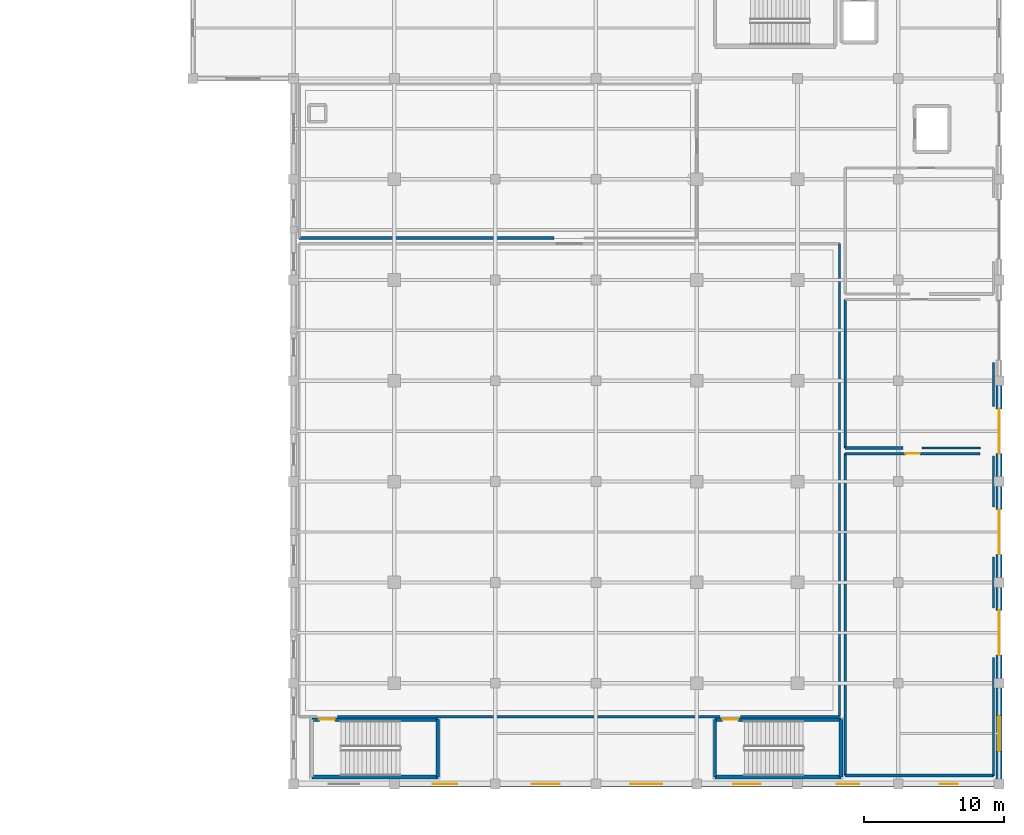
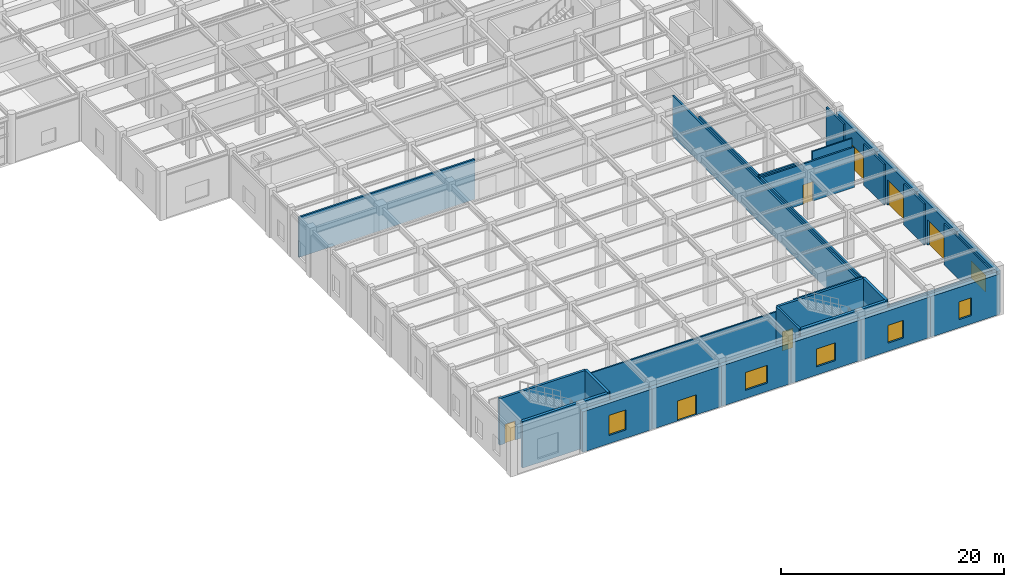
# One storey, part 80 of 102: 31 walls, 7 doors, 6 windows, 13 openings.
"""IFC4 building model written with IfcOpenShell, lengths in metres."""

from ifc_helpers import new_model, si_unit, direction, frame, frame_2d, origin, place, context, subcontext, project, spatial, rectangle, extrude, material, layer, layer_set, type_object, element, fill, save


model = new_model("IFC4")

# Units and contexts
model_context = context("Model", 3, precision=1e-05, world=origin(), true_north=direction((0.0, 1.0)))
body_context = subcontext(model_context, "Body", "Model", "MODEL_VIEW")
ifc_project = project(units=[si_unit("LENGTHUNIT", "METRE"), si_unit("AREAUNIT", "SQUARE_METRE"), si_unit("VOLUMEUNIT", "CUBIC_METRE"), si_unit("PLANEANGLEUNIT", "RADIAN"), si_unit("MASSUNIT", "GRAM", prefix="KILO")], contexts=[model_context])

# Site, building, storey
site_placement = place(None, origin())
site = spatial("IfcSite", under=ifc_project, at=site_placement, CompositionType="ELEMENT")
building_placement = place(site_placement, origin())
building = spatial("IfcBuilding", under=site, at=building_placement, Name="Carrowvane Square Congress Hotel", CompositionType="ELEMENT")
storey_placement = place(building_placement, origin())
storey = spatial("IfcBuildingStorey", under=building, at=storey_placement, Name="L00", CompositionType="ELEMENT", Elevation=0.0)

# Wall, opening, door
ifc_material_1 = material(Name="Portland limestone cladding", Category="masonry")
ifc_layer_1 = layer(ifc_material_1, 0.419921875)
ifc_layer_set_1 = layer_set([ifc_layer_1], Name="Portland limestone cladding")
wall_type_1 = type_object("IfcWallType", Name="WL-EXT-LS420", PredefinedType="STANDARD", material=ifc_layer_set_1)
wall_1_placement = place(storey_placement, frame((184.39990234375, 34.199951171875, 0.0), z_axis=(0.0, 0.0, 1.0), x_axis=(0.0, -1.0, 0.0)))
wall_1 = element("IfcWall", 1, at=wall_1_placement, inside=storey, type_object=wall_type_1, Name="L00 exterior facade wall 168", PredefinedType="STANDARD", context=body_context, shape_type="SweptSolid", body=[
    extrude(rectangle(XDim=7.199951171875, YDim=0.419921875, at=frame_2d((3.60009765625, 0.0))), origin(), (0.0, 0.0, 1.0), 4.625),
])
opening_1_placement = place(wall_1_placement, frame((2.0, 0.0, 0.0)))
opening_1 = element("IfcOpeningElement", 2, at=opening_1_placement, cuts=wall_1, Name="Opening VG-3", PredefinedType="OPENING", context=body_context, shape_type="SweptSolid", body=[
    extrude(rectangle(XDim=3.199951171875, YDim=2.800048828125, at=frame_2d((1.60009765625, 1.39990234375))), frame((0.0, 0.219970703125, 0.0), z_axis=(0.0, -1.0, 0.0), x_axis=(1.0, 0.0, 0.0)), (0.0, 0.0, 1.0), 0.43994140625),
])
ifc_material_2 = material(Name="Galvanised steel", Category="steel")
door_type_1 = type_object("IfcDoorType", Name="DR-GATE-3200", OperationType="ROLLINGUP", PredefinedType="GATE", material=ifc_material_2)
door_1_placement = place(opening_1_placement, origin())
door_1 = element("IfcDoor", 3, at=door_1_placement, inside=storey, type_object=door_type_1, Name="L00 goods service shutter 4", OperationType="ROLLINGUP", OverallHeight=2.800048828125, OverallWidth=3.199951171875, PredefinedType="GATE", context=body_context, shape_type="SweptSolid", body=[
    extrude(rectangle(XDim=3.199951171875, YDim=2.800048828125, at=frame_2d((1.60009765625, 1.39990234375))), frame((0.0, 0.02490234375, 0.0), z_axis=(0.0, -1.0, 0.0), x_axis=(1.0, 0.0, 0.0)), (0.0, 0.0, 1.0), 0.050048828125),
])
fill(opening_1, door_1)

wall_2_placement = place(storey_placement, frame((184.39990234375, 27.0, 0.0), z_axis=(0.0, 0.0, 1.0), x_axis=(0.0, -1.0, 0.0)))
wall_2 = element("IfcWall", 4, at=wall_2_placement, inside=storey, type_object=wall_type_1, Name="L00 exterior facade wall 169", PredefinedType="STANDARD", context=body_context, shape_type="SweptSolid", body=[
    extrude(rectangle(XDim=7.199951171875, YDim=0.419921875, at=frame_2d((3.60009765625, 0.0))), origin(), (0.0, 0.0, 1.0), 4.625),
])
opening_2_placement = place(wall_2_placement, frame((2.0, 0.0, 0.0)))
opening_2 = element("IfcOpeningElement", 5, at=opening_2_placement, cuts=wall_2, Name="Opening VG-3", PredefinedType="OPENING", context=body_context, shape_type="SweptSolid", body=[
    extrude(rectangle(XDim=3.199951171875, YDim=2.800048828125, at=frame_2d((1.60009765625, 1.39990234375))), frame((0.0, 0.219970703125, 0.0), z_axis=(0.0, -1.0, 0.0), x_axis=(1.0, 0.0, 0.0)), (0.0, 0.0, 1.0), 0.43994140625),
])
door_2_placement = place(opening_2_placement, origin())
door_2 = element("IfcDoor", 6, at=door_2_placement, inside=storey, type_object=door_type_1, Name="L00 goods service shutter 5", OperationType="ROLLINGUP", OverallHeight=2.800048828125, OverallWidth=3.199951171875, PredefinedType="GATE", context=body_context, shape_type="SweptSolid", body=[
    extrude(rectangle(XDim=3.199951171875, YDim=2.800048828125, at=frame_2d((1.60009765625, 1.39990234375))), frame((0.0, 0.02490234375, 0.0), z_axis=(0.0, -1.0, 0.0), x_axis=(1.0, 0.0, 0.0)), (0.0, 0.0, 1.0), 0.050048828125),
])
fill(opening_2, door_2)

wall_3_placement = place(storey_placement, frame((184.39990234375, 19.800048828125, 0.0), z_axis=(0.0, 0.0, 1.0), x_axis=(0.0, -1.0, 0.0)))
wall_3 = element("IfcWall", 7, at=wall_3_placement, inside=storey, type_object=wall_type_1, Name="L00 exterior facade wall 170", PredefinedType="STANDARD", context=body_context, shape_type="SweptSolid", body=[
    extrude(rectangle(XDim=7.199951171875, YDim=0.419921875, at=frame_2d((3.60009765625, 0.0))), origin(), (0.0, 0.0, 1.0), 4.625),
])
opening_3_placement = place(wall_3_placement, frame((2.0, 0.0, 0.0)))
opening_3 = element("IfcOpeningElement", 8, at=opening_3_placement, cuts=wall_3, Name="Opening VG-3", PredefinedType="OPENING", context=body_context, shape_type="SweptSolid", body=[
    extrude(rectangle(XDim=3.199951171875, YDim=2.800048828125, at=frame_2d((1.60009765625, 1.39990234375))), frame((0.0, 0.219970703125, 0.0), z_axis=(0.0, -1.0, 0.0), x_axis=(1.0, 0.0, 0.0)), (0.0, 0.0, 1.0), 0.43994140625),
])
door_3_placement = place(opening_3_placement, origin())
door_3 = element("IfcDoor", 9, at=door_3_placement, inside=storey, type_object=door_type_1, Name="L00 goods service shutter 6", OperationType="ROLLINGUP", OverallHeight=2.800048828125, OverallWidth=3.199951171875, PredefinedType="GATE", context=body_context, shape_type="SweptSolid", body=[
    extrude(rectangle(XDim=3.199951171875, YDim=2.800048828125, at=frame_2d((1.60009765625, 1.39990234375))), frame((0.0, 0.02490234375, 0.0), z_axis=(0.0, -1.0, 0.0), x_axis=(1.0, 0.0, 0.0)), (0.0, 0.0, 1.0), 0.050048828125),
])
fill(opening_3, door_3)

# Wall, opening, window
wall_4_placement = place(storey_placement, frame((184.39990234375, 12.60009765625, 0.0), z_axis=(0.0, 0.0, 1.0), x_axis=(0.0, -1.0, 0.0)))
wall_4 = element("IfcWall", 10, at=wall_4_placement, inside=storey, type_object=wall_type_1, Name="L00 exterior facade wall 171", PredefinedType="STANDARD", context=body_context, shape_type="SweptSolid", body=[
    extrude(rectangle(XDim=7.2001953125, YDim=0.419921875, at=frame_2d((3.60009765625, 0.0))), origin(), (0.0, 0.0, 1.0), 4.625),
])
opening_4_placement = place(wall_4_placement, frame((2.324951171875, 0.0, 0.89990234375)))
opening_4 = element("IfcOpeningElement", 11, at=opening_4_placement, cuts=wall_4, Name="Opening W-28", PredefinedType="OPENING", context=body_context, shape_type="SweptSolid", body=[
    extrude(rectangle(XDim=2.550048828125, YDim=1.85009765625, at=frame_2d((1.27490234375, 0.925048828125))), frame((0.0, 0.219970703125, 0.0), z_axis=(0.0, -1.0, 0.0), x_axis=(1.0, 0.0, 0.0)), (0.0, 0.0, 1.0), 0.43994140625),
])
ifc_material_3 = material(Name="Double-glazed low-E glass", Category="glass")
window_type_1 = type_object("IfcWindowType", Name="WIN-28", PartitioningType="SINGLE_PANEL", PredefinedType="WINDOW", material=ifc_material_3)
window_1_placement = place(opening_4_placement, origin())
window_1 = element("IfcWindow", 12, at=window_1_placement, inside=storey, type_object=window_type_1, Name="L00 facade window 8", OverallHeight=1.85009765625, OverallWidth=2.550048828125, PartitioningType="SINGLE_PANEL", PredefinedType="WINDOW", context=body_context, shape_type="SweptSolid", body=[
    extrude(rectangle(XDim=2.550048828125, YDim=1.85009765625, at=frame_2d((1.27490234375, 0.925048828125))), frame((0.0, 0.030029296875, 0.0), z_axis=(0.0, -1.0, 0.0), x_axis=(1.0, 0.0, 0.0)), (0.0, 0.0, 1.0), 0.06005859375),
])
fill(opening_4, window_1)

wall_5_placement = place(storey_placement, frame((184.39990234375, 5.39990234375, 0.0), z_axis=(0.0, 0.0, 1.0), x_axis=(-1.0, 0.0, 0.0)))
wall_5 = element("IfcWall", 13, at=wall_5_placement, inside=storey, type_object=wall_type_1, Name="L00 exterior facade wall 172", PredefinedType="STANDARD", context=body_context, shape_type="SweptSolid", body=[
    extrude(rectangle(XDim=7.199951171875, YDim=0.419921875, at=frame_2d((3.60009765625, 0.0))), origin(), (0.0, 0.0, 1.0), 4.43505859375),
])
opening_5_placement = place(wall_5_placement, frame((2.949951171875, 0.0, 0.89990234375)))
opening_5 = element("IfcOpeningElement", 14, at=opening_5_placement, cuts=wall_5, Name="Opening W-29", PredefinedType="OPENING", context=body_context, shape_type="SweptSolid", body=[
    extrude(rectangle(XDim=1.300048828125, YDim=1.949951171875, at=frame_2d((0.64990234375, 0.97509765625))), frame((0.0, 0.219970703125, 0.0), z_axis=(0.0, -1.0, 0.0), x_axis=(1.0, 0.0, 0.0)), (0.0, 0.0, 1.0), 0.43994140625),
])
ifc_material_4 = material(Name="Double-glazed low-E glass", Category="glass")
window_type_2 = type_object("IfcWindowType", Name="WIN-29", PartitioningType="SINGLE_PANEL", PredefinedType="WINDOW", material=ifc_material_4)
window_2_placement = place(opening_5_placement, origin())
window_2 = element("IfcWindow", 15, at=window_2_placement, inside=storey, type_object=window_type_2, Name="L00 facade window 9", OverallHeight=1.949951171875, OverallWidth=1.300048828125, PartitioningType="SINGLE_PANEL", PredefinedType="WINDOW", context=body_context, shape_type="SweptSolid", body=[
    extrude(rectangle(XDim=1.300048828125, YDim=1.949951171875, at=frame_2d((0.64990234375, 0.97509765625))), frame((0.0, 0.030029296875, 0.0), z_axis=(0.0, -1.0, 0.0), x_axis=(1.0, 0.0, 0.0)), (0.0, 0.0, 1.0), 0.06005859375),
])
fill(opening_5, window_2)

wall_6_placement = place(storey_placement, frame((177.199951171875, 5.39990234375, 0.0), z_axis=(0.0, 0.0, 1.0), x_axis=(-1.0, 0.0, 0.0)))
wall_6 = element("IfcWall", 16, at=wall_6_placement, inside=storey, type_object=wall_type_1, Name="L00 exterior facade wall 173", PredefinedType="STANDARD", context=body_context, shape_type="SweptSolid", body=[
    extrude(rectangle(XDim=7.199951171875, YDim=0.419921875, at=frame_2d((3.60009765625, 0.0))), origin(), (0.0, 0.0, 1.0), 4.43505859375),
])
opening_6_placement = place(wall_6_placement, frame((2.800048828125, 0.0, 0.89990234375)))
opening_6 = element("IfcOpeningElement", 17, at=opening_6_placement, cuts=wall_6, Name="Opening W-30", PredefinedType="OPENING", context=body_context, shape_type="SweptSolid", body=[
    extrude(rectangle(XDim=1.60009765625, YDim=1.949951171875, at=frame_2d((0.800048828125, 0.97509765625))), frame((0.0, 0.219970703125, 0.0), z_axis=(0.0, -1.0, 0.0), x_axis=(1.0, 0.0, 0.0)), (0.0, 0.0, 1.0), 0.43994140625),
])
ifc_material_5 = material(Name="Double-glazed low-E glass", Category="glass")
window_type_3 = type_object("IfcWindowType", Name="WIN-30", PartitioningType="SINGLE_PANEL", PredefinedType="WINDOW", material=ifc_material_5)
window_3_placement = place(opening_6_placement, origin())
window_3 = element("IfcWindow", 18, at=window_3_placement, inside=storey, type_object=window_type_3, Name="L00 facade window 10", OverallHeight=1.949951171875, OverallWidth=1.60009765625, PartitioningType="SINGLE_PANEL", PredefinedType="WINDOW", context=body_context, shape_type="SweptSolid", body=[
    extrude(rectangle(XDim=1.60009765625, YDim=1.949951171875, at=frame_2d((0.800048828125, 0.97509765625))), frame((0.0, 0.030029296875, 0.0), z_axis=(0.0, -1.0, 0.0), x_axis=(1.0, 0.0, 0.0)), (0.0, 0.0, 1.0), 0.06005859375),
])
fill(opening_6, window_3)

wall_7_placement = place(storey_placement, frame((170.0, 5.39990234375, 0.0), z_axis=(0.0, 0.0, 1.0), x_axis=(-1.0, 0.0, 0.0)))
wall_7 = element("IfcWall", 19, at=wall_7_placement, inside=storey, type_object=wall_type_1, Name="L00 exterior facade wall 174", PredefinedType="STANDARD", context=body_context, shape_type="SweptSolid", body=[
    extrude(rectangle(XDim=7.199951171875, YDim=0.419921875, at=frame_2d((3.60009765625, 0.0))), origin(), (0.0, 0.0, 1.0), 4.43505859375),
])
opening_7_placement = place(wall_7_placement, frame((2.625, 0.0, 0.89990234375)))
opening_7 = element("IfcOpeningElement", 20, at=opening_7_placement, cuts=wall_7, Name="Opening W-31", PredefinedType="OPENING", context=body_context, shape_type="SweptSolid", body=[
    extrude(rectangle(XDim=1.949951171875, YDim=1.949951171875, at=frame_2d((0.97509765625, 0.97509765625))), frame((0.0, 0.219970703125, 0.0), z_axis=(0.0, -1.0, 0.0), x_axis=(1.0, 0.0, 0.0)), (0.0, 0.0, 1.0), 0.43994140625),
])
ifc_material_6 = material(Name="Double-glazed low-E glass", Category="glass")
window_type_4 = type_object("IfcWindowType", Name="WIN-31", PartitioningType="SINGLE_PANEL", PredefinedType="WINDOW", material=ifc_material_6)
window_4_placement = place(opening_7_placement, origin())
window_4 = element("IfcWindow", 21, at=window_4_placement, inside=storey, type_object=window_type_4, Name="L00 facade window 11", OverallHeight=1.949951171875, OverallWidth=1.949951171875, PartitioningType="SINGLE_PANEL", PredefinedType="WINDOW", context=body_context, shape_type="SweptSolid", body=[
    extrude(rectangle(XDim=1.949951171875, YDim=1.949951171875, at=frame_2d((0.97509765625, 0.97509765625))), frame((0.0, 0.030029296875, 0.0), z_axis=(0.0, -1.0, 0.0), x_axis=(1.0, 0.0, 0.0)), (0.0, 0.0, 1.0), 0.06005859375),
])
fill(opening_7, window_4)

wall_8_placement = place(storey_placement, frame((162.800048828125, 5.39990234375, 0.0), z_axis=(0.0, 0.0, 1.0), x_axis=(-1.0, 0.0, 0.0)))
wall_8 = element("IfcWall", 22, at=wall_8_placement, inside=storey, type_object=wall_type_1, Name="L00 exterior facade wall 175", PredefinedType="STANDARD", context=body_context, shape_type="SweptSolid", body=[
    extrude(rectangle(XDim=7.199951171875, YDim=0.419921875, at=frame_2d((3.60009765625, 0.0))), origin(), (0.0, 0.0, 1.0), 4.43505859375),
])
opening_8_placement = place(wall_8_placement, frame((2.449951171875, 0.0, 0.89990234375)))
opening_8 = element("IfcOpeningElement", 23, at=opening_8_placement, cuts=wall_8, Name="Opening W-32", PredefinedType="OPENING", context=body_context, shape_type="SweptSolid", body=[
    extrude(rectangle(XDim=2.300048828125, YDim=1.949951171875, at=frame_2d((1.14990234375, 0.97509765625))), frame((0.0, 0.219970703125, 0.0), z_axis=(0.0, -1.0, 0.0), x_axis=(1.0, 0.0, 0.0)), (0.0, 0.0, 1.0), 0.43994140625),
])
ifc_material_7 = material(Name="Double-glazed low-E glass", Category="glass")
window_type_5 = type_object("IfcWindowType", Name="WIN-32", PartitioningType="SINGLE_PANEL", PredefinedType="WINDOW", material=ifc_material_7)
window_5_placement = place(opening_8_placement, origin())
window_5 = element("IfcWindow", 24, at=window_5_placement, inside=storey, type_object=window_type_5, Name="L00 facade window 12", OverallHeight=1.949951171875, OverallWidth=2.300048828125, PartitioningType="SINGLE_PANEL", PredefinedType="WINDOW", context=body_context, shape_type="SweptSolid", body=[
    extrude(rectangle(XDim=2.300048828125, YDim=1.949951171875, at=frame_2d((1.14990234375, 0.97509765625))), frame((0.0, 0.030029296875, 0.0), z_axis=(0.0, -1.0, 0.0), x_axis=(1.0, 0.0, 0.0)), (0.0, 0.0, 1.0), 0.06005859375),
])
fill(opening_8, window_5)

# Wall, opening, door
wall_9_placement = place(storey_placement, frame((155.60009765625, 5.39990234375, 0.0), z_axis=(0.0, 0.0, 1.0), x_axis=(-1.0, 0.0, 0.0)))
wall_9 = element("IfcWall", 25, at=wall_9_placement, inside=storey, type_object=wall_type_1, Name="L00 exterior facade wall 176", PredefinedType="STANDARD", context=body_context, shape_type="SweptSolid", body=[
    extrude(rectangle(XDim=7.2001953125, YDim=0.419921875, at=frame_2d((3.60009765625, 0.0))), origin(), (0.0, 0.0, 1.0), 4.43505859375),
])
opening_9_placement = place(wall_9_placement, frame((2.60009765625, 0.0, 0.0)))
opening_9 = element("IfcOpeningElement", 26, at=opening_9_placement, cuts=wall_9, Name="Opening ED-1", PredefinedType="OPENING", context=body_context, shape_type="SweptSolid", body=[
    extrude(rectangle(XDim=2.0, YDim=2.199951171875, at=frame_2d((1.0, 1.10009765625))), frame((0.0, 0.219970703125, 0.0), z_axis=(0.0, -1.0, 0.0), x_axis=(1.0, 0.0, 0.0)), (0.0, 0.0, 1.0), 0.43994140625),
])
ifc_material_8 = material(Name="Anodised aluminium", Category="aluminium")
door_type_2 = type_object("IfcDoorType", Name="DR-EXIT-2000", OperationType="DOUBLE_DOOR_SINGLE_SWING", PredefinedType="DOOR", material=ifc_material_8)
door_4_placement = place(opening_9_placement, origin())
door_4 = element("IfcDoor", 27, at=door_4_placement, inside=storey, type_object=door_type_2, Name="L00 final exit door ED-21", OperationType="DOUBLE_DOOR_SINGLE_SWING", OverallHeight=2.199951171875, OverallWidth=2.0, PredefinedType="DOOR", context=body_context, shape_type="SweptSolid", body=[
    extrude(rectangle(XDim=2.0, YDim=2.199951171875, at=frame_2d((1.0, 1.10009765625))), frame((0.0, 0.02490234375, 0.0), z_axis=(0.0, -1.0, 0.0), x_axis=(1.0, 0.0, 0.0)), (0.0, 0.0, 1.0), 0.050048828125),
])
fill(opening_9, door_4)

# Wall, opening, window
wall_10_placement = place(storey_placement, frame((148.39990234375, 5.39990234375, 0.0), z_axis=(0.0, 0.0, 1.0), x_axis=(-1.0, 0.0, 0.0)))
wall_10 = element("IfcWall", 28, at=wall_10_placement, inside=storey, type_object=wall_type_1, Name="L00 exterior facade wall 177", PredefinedType="STANDARD", context=body_context, shape_type="SweptSolid", body=[
    extrude(rectangle(XDim=7.199951171875, YDim=0.419921875, at=frame_2d((3.60009765625, 0.0))), origin(), (0.0, 0.0, 1.0), 4.43505859375),
])
opening_10_placement = place(wall_10_placement, frame((2.72509765625, 0.0, 0.89990234375)))
opening_10 = element("IfcOpeningElement", 29, at=opening_10_placement, cuts=wall_10, Name="Opening W-34", PredefinedType="OPENING", context=body_context, shape_type="SweptSolid", body=[
    extrude(rectangle(XDim=1.75, YDim=2.199951171875, at=frame_2d((0.875, 1.10009765625))), frame((0.0, 0.219970703125, 0.0), z_axis=(0.0, -1.0, 0.0), x_axis=(1.0, 0.0, 0.0)), (0.0, 0.0, 1.0), 0.43994140625),
])
ifc_material_9 = material(Name="Double-glazed low-E glass", Category="glass")
window_type_6 = type_object("IfcWindowType", Name="WIN-34", PartitioningType="SINGLE_PANEL", PredefinedType="WINDOW", material=ifc_material_9)
window_6_placement = place(opening_10_placement, origin())
window_6 = element("IfcWindow", 30, at=window_6_placement, inside=storey, type_object=window_type_6, Name="L00 facade window 13", OverallHeight=2.199951171875, OverallWidth=1.75, PartitioningType="SINGLE_PANEL", PredefinedType="WINDOW", context=body_context, shape_type="SweptSolid", body=[
    extrude(rectangle(XDim=1.75, YDim=2.199951171875, at=frame_2d((0.875, 1.10009765625))), frame((0.0, 0.030029296875, 0.0), z_axis=(0.0, -1.0, 0.0), x_axis=(1.0, 0.0, 0.0)), (0.0, 0.0, 1.0), 0.06005859375),
])
fill(opening_10, window_6)

# Walls
ifc_material_10 = material(Name="Acoustic gypsum board", Category="gypsum")
ifc_layer_2 = layer(ifc_material_10, 0.155029296875)
ifc_layer_set_2 = layer_set([ifc_layer_2], Name="Acoustic gypsum board")
wall_type_2 = type_object("IfcWallType", Name="WL-FIR-155", PredefinedType="PARTITIONING", material=ifc_layer_set_2)
wall_11_placement = place(storey_placement, frame((173.0, 10.199951171875, 0.0), z_axis=(0.0, 0.0, 1.0), x_axis=(-1.0, 0.0, 0.0)))
element("IfcWall", 31, at=wall_11_placement, inside=storey, type_object=wall_type_2, Name="L00 Exhibition Concourse and Trade Hall partition", PredefinedType="PARTITIONING", context=body_context, shape_type="SweptSolid", body=[
    extrude(rectangle(XDim=7.070068359375, YDim=0.155029296875, at=frame_2d((3.53515625, 0.0))), origin(), (0.0, 0.0, 1.0), 5.10009765625),
])
wall_12_placement = place(storey_placement, frame((184.0, 28.820068359375, 0.0), z_axis=(0.0, 0.0, 1.0), x_axis=(0.0, -1.0, 0.0)))
element("IfcWall", 32, at=wall_12_placement, inside=storey, type_object=wall_type_2, Name="L00 HGV Loading Bay and Goods Marshalling partition", PredefinedType="PARTITIONING", context=body_context, shape_type="SweptSolid", body=[
    extrude(rectangle(XDim=3.64013671875, YDim=0.155029296875, at=frame_2d((1.820068359375, 0.0))), origin(), (0.0, 0.0, 1.0), 4.472900390625),
])
ifc_material_11 = material(Name="Acoustic gypsum board", Category="gypsum")
ifc_layer_3 = layer(ifc_material_11, 0.169921875)
ifc_layer_set_3 = layer_set([ifc_layer_3], Name="Acoustic gypsum board")
wall_type_3 = type_object("IfcWallType", Name="WL-FIR-170", PredefinedType="PARTITIONING", material=ifc_layer_set_3)
wall_13_placement = place(storey_placement, frame((173.0, 44.0, 0.0), z_axis=(0.0, 0.0, 1.0), x_axis=(0.0, -1.0, 0.0)))
element("IfcWall", 33, at=wall_13_placement, inside=storey, type_object=wall_type_3, Name="L00 Exhibition Concourse and Trade Hall partition", PredefinedType="PARTITIONING", context=body_context, shape_type="SweptSolid", body=[
    extrude(rectangle(XDim=33.800048828125, YDim=0.169921875, at=frame_2d((16.89990234375, 0.0))), origin(), (0.0, 0.0, 1.0), 4.472900390625),
])

# Wall, opening, door
wall_14_placement = place(storey_placement, frame((173.39990234375, 29.0, 0.0), z_axis=(0.0, 0.0, 1.0), x_axis=(1.0, 0.0, 0.0)))
wall_14 = element("IfcWall", 34, at=wall_14_placement, inside=storey, type_object=wall_type_3, Name="L00 HGV Loading Bay and Goods Marshalling partition", PredefinedType="PARTITIONING", context=body_context, shape_type="SweptSolid", body=[
    extrude(rectangle(XDim=9.650146484375, YDim=0.169921875, at=frame_2d((4.8251953125, 0.0))), origin(), (0.0, 0.0, 1.0), 4.3974609375),
])
opening_11_placement = place(wall_14_placement, frame((4.304931640625, 0.0, 0.0)))
opening_11 = element("IfcOpeningElement", 35, at=opening_11_placement, cuts=wall_14, Name="Opening ID-07", PredefinedType="OPENING", context=body_context, shape_type="SweptSolid", body=[
    extrude(rectangle(XDim=1.0400390625, YDim=2.1201171875, at=frame_2d((0.52001953125, 1.06005859375))), frame((0.0, 0.094970703125, 0.0), z_axis=(0.0, -1.0, 0.0), x_axis=(1.0, 0.0, 0.0)), (0.0, 0.0, 1.0), 0.18994140625),
])
ifc_material_12 = material(Name="European oak timber", Category="wood")
door_type_3 = type_object("IfcDoorType", Name="DR-INT-1040x2120", OperationType="NOTDEFINED", PredefinedType="DOOR", material=ifc_material_12)
door_5_placement = place(opening_11_placement, origin())
door_5 = element("IfcDoor", 36, at=door_5_placement, inside=storey, type_object=door_type_3, Name="L00 HGV Loading Bay and Goods Marshalling entrance door", OperationType="SINGLE_SWING_RIGHT", OverallHeight=2.1201171875, OverallWidth=1.0400390625, PredefinedType="DOOR", context=body_context, shape_type="SweptSolid", body=[
    extrude(rectangle(XDim=1.0400390625, YDim=2.1201171875, at=frame_2d((0.52001953125, 1.06005859375))), frame((0.0, 0.02490234375, 0.0), z_axis=(0.0, -1.0, 0.0), x_axis=(1.0, 0.0, 0.0)), (0.0, 0.0, 1.0), 0.050048828125),
])
fill(opening_11, door_5)

# Walls
wall_15_placement = place(storey_placement, frame((173.39990234375, 29.39990234375, 0.0), z_axis=(0.0, 0.0, 1.0), x_axis=(0.0, 1.0, 0.0)))
element("IfcWall", 37, at=wall_15_placement, inside=storey, type_object=wall_type_3, Name="L00 Refuse and Recycling Store partition", PredefinedType="PARTITIONING", context=body_context, shape_type="SweptSolid", body=[
    extrude(rectangle(XDim=10.60009765625, YDim=0.169921875, at=frame_2d((5.300048828125, 0.0))), origin(), (0.0, 0.0, 1.0), 4.472900390625),
])
ifc_material_13 = material(Name="Acoustic gypsum board", Category="gypsum")
ifc_layer_4 = layer(ifc_material_13, 0.18505859375)
ifc_layer_set_4 = layer_set([ifc_layer_4], Name="Acoustic gypsum board")
wall_type_4 = type_object("IfcWallType", Name="WL-FIR-185", PredefinedType="PARTITIONING", material=ifc_layer_set_4)
wall_16_placement = place(storey_placement, frame((152.6201171875, 44.39990234375, 0.0), z_axis=(0.0, 0.0, 1.0), x_axis=(-1.0, 0.0, 0.0)))
element("IfcWall", 38, at=wall_16_placement, inside=storey, type_object=wall_type_4, Name="L00 Central Banqueting Production Kitchen partition", PredefinedType="PARTITIONING", context=body_context, shape_type="SweptSolid", body=[
    extrude(rectangle(XDim=18.22021484375, YDim=0.18505859375, at=frame_2d((9.110107421875, 0.0))), origin(), (0.0, 0.0, 1.0), 4.3974609375),
])
wall_17_placement = place(storey_placement, frame((173.39990234375, 6.0, 0.0), z_axis=(0.0, 0.0, 1.0), x_axis=(0.0, 1.0, 0.0)))
element("IfcWall", 39, at=wall_17_placement, inside=storey, type_object=wall_type_4, Name="L00 HGV Loading Bay and Goods Marshalling partition", PredefinedType="PARTITIONING", context=body_context, shape_type="SweptSolid", body=[
    extrude(rectangle(XDim=23.0, YDim=0.18505859375, at=frame_2d((11.5, 0.0))), origin(), (0.0, 0.0, 1.0), 4.472900390625),
])
wall_18_placement = place(storey_placement, frame((184.0, 6.0, 0.0), z_axis=(0.0, 0.0, 1.0), x_axis=(-1.0, 0.0, 0.0)))
element("IfcWall", 40, at=wall_18_placement, inside=storey, type_object=wall_type_4, Name="L00 HGV Loading Bay and Goods Marshalling partition", PredefinedType="PARTITIONING", context=body_context, shape_type="SweptSolid", body=[
    extrude(rectangle(XDim=10.60009765625, YDim=0.18505859375, at=frame_2d((5.300048828125, 0.0))), origin(), (0.0, 0.0, 1.0), 4.3974609375),
])
wall_19_placement = place(storey_placement, frame((177.52490234375, 29.39990234375, 0.0), z_axis=(0.0, 0.0, 1.0), x_axis=(-1.0, 0.0, 0.0)))
element("IfcWall", 41, at=wall_19_placement, inside=storey, type_object=wall_type_4, Name="L00 Refuse and Recycling Store partition", PredefinedType="PARTITIONING", context=body_context, shape_type="SweptSolid", body=[
    extrude(rectangle(XDim=4.125, YDim=0.18505859375, at=frame_2d((2.0625, 0.0))), origin(), (0.0, 0.0, 1.0), 4.3974609375),
])
ifc_material_14 = material(Name="Acoustic gypsum board", Category="gypsum")
ifc_layer_5 = layer(ifc_material_14, 0.137939453125)
ifc_layer_set_5 = layer_set([ifc_layer_5], Name="Acoustic gypsum board")
wall_type_5 = type_object("IfcWallType", Name="WL-PRT-138", PredefinedType="PARTITIONING", material=ifc_layer_set_5)
wall_20_placement = place(storey_placement, frame((184.0, 14.419921875, 0.0), z_axis=(0.0, 0.0, 1.0), x_axis=(0.0, -1.0, 0.0)))
element("IfcWall", 42, at=wall_20_placement, inside=storey, type_object=wall_type_5, Name="L00 HGV Loading Bay and Goods Marshalling partition", PredefinedType="PARTITIONING", context=body_context, shape_type="SweptSolid", body=[
    extrude(rectangle(XDim=8.419921875, YDim=0.137939453125, at=frame_2d((4.2099609375, 0.0))), origin(), (0.0, 0.0, 1.0), 4.472900390625),
])
wall_21_placement = place(storey_placement, frame((183.050048828125, 29.39990234375, 0.0), z_axis=(0.0, 0.0, 1.0), x_axis=(-1.0, 0.0, 0.0)))
element("IfcWall", 43, at=wall_21_placement, inside=storey, type_object=wall_type_5, Name="L00 Refuse and Recycling Store partition", PredefinedType="PARTITIONING", context=body_context, shape_type="SweptSolid", body=[
    extrude(rectangle(XDim=4.125, YDim=0.137939453125, at=frame_2d((2.0625, 0.0))), origin(), (0.0, 0.0, 1.0), 5.10009765625),
])
ifc_material_15 = material(Name="Acoustic gypsum board", Category="gypsum")
ifc_layer_6 = layer(ifc_material_15, 0.14794921875)
ifc_layer_set_6 = layer_set([ifc_layer_6], Name="Acoustic gypsum board")
wall_type_6 = type_object("IfcWallType", Name="WL-PRT-148", PredefinedType="PARTITIONING", material=ifc_layer_set_6)
wall_22_placement = place(storey_placement, frame((164.469970703125, 10.199951171875, 0.0), z_axis=(0.0, 0.0, 1.0), x_axis=(-1.0, 0.0, 0.0)))
element("IfcWall", 44, at=wall_22_placement, inside=storey, type_object=wall_type_6, Name="L00 Exhibition Concourse and Trade Hall partition", PredefinedType="PARTITIONING", context=body_context, shape_type="SweptSolid", body=[
    extrude(rectangle(XDim=27.340087890625, YDim=0.14794921875, at=frame_2d((13.669921875, 0.0))), origin(), (0.0, 0.0, 1.0), 4.3974609375),
])
wall_23_placement = place(storey_placement, frame((184.0, 21.6201171875, 0.0), z_axis=(0.0, 0.0, 1.0), x_axis=(0.0, -1.0, 0.0)))
element("IfcWall", 45, at=wall_23_placement, inside=storey, type_object=wall_type_6, Name="L00 HGV Loading Bay and Goods Marshalling partition", PredefinedType="PARTITIONING", context=body_context, shape_type="SweptSolid", body=[
    extrude(rectangle(XDim=3.64013671875, YDim=0.14794921875, at=frame_2d((1.820068359375, 0.0))), origin(), (0.0, 0.0, 1.0), 4.472900390625),
])
wall_24_placement = place(storey_placement, frame((184.0, 35.52001953125, 0.0), z_axis=(0.0, 0.0, 1.0), x_axis=(0.0, -1.0, 0.0)))
element("IfcWall", 46, at=wall_24_placement, inside=storey, type_object=wall_type_6, Name="L00 Refuse and Recycling Store partition", PredefinedType="PARTITIONING", context=body_context, shape_type="SweptSolid", body=[
    extrude(rectangle(XDim=3.14013671875, YDim=0.14794921875, at=frame_2d((1.570068359375, 0.0))), origin(), (0.0, 0.0, 1.0), 4.472900390625),
])
ifc_material_16 = material(Name="Concrete C40/50", Category="concrete")
ifc_layer_7 = layer(ifc_material_16, 0.22509765625)
ifc_layer_set_7 = layer_set([ifc_layer_7], Name="Concrete C40/50")
wall_type_7 = type_object("IfcWallType", Name="WL-SHR-225", PredefinedType="SHEAR", material=ifc_layer_set_7)
wall_25_placement = place(storey_placement, frame((164.10009765625, 10.0, 0.0), z_axis=(0.0, 0.0, 1.0), x_axis=(0.0, -1.0, 0.0)))
element("IfcWall", 47, at=wall_25_placement, inside=storey, type_object=wall_type_7, Name="L00 ST11 core wall west", PredefinedType="SHEAR", context=body_context, shape_type="SweptSolid", body=[
    extrude(rectangle(XDim=4.10009765625, YDim=0.22509765625, at=frame_2d((2.050048828125, 0.0))), origin(), (0.0, 0.0, 1.0), 5.10009765625),
])

# Wall, opening, door
ifc_material_17 = material(Name="Concrete C40/50", Category="concrete")
ifc_layer_8 = layer(ifc_material_17, 0.25)
ifc_layer_set_8 = layer_set([ifc_layer_8], Name="Concrete C40/50")
wall_type_8 = type_object("IfcWallType", Name="WL-SHR-250", PredefinedType="SHEAR", material=ifc_layer_set_8)
wall_26_placement = place(storey_placement, frame((144.300048828125, 10.0, 0.0), z_axis=(0.0, 0.0, 1.0), x_axis=(-1.0, 0.0, 0.0)))
wall_26 = element("IfcWall", 48, at=wall_26_placement, inside=storey, type_object=wall_type_8, Name="L00 ST10 core wall north", PredefinedType="SHEAR", context=body_context, shape_type="SweptSolid", body=[
    extrude(rectangle(XDim=9.0, YDim=0.25, at=frame_2d((4.5, 0.0))), origin(), (0.0, 0.0, 1.0), 5.10009765625),
])
opening_12_placement = place(wall_26_placement, frame((7.35009765625, 0.0, 0.0)))
opening_12 = element("IfcOpeningElement", 49, at=opening_12_placement, cuts=wall_26, Name="Opening FD-01", PredefinedType="OPENING", context=body_context, shape_type="SweptSolid", body=[
    extrude(rectangle(XDim=1.10009765625, YDim=2.10009765625, at=frame_2d((0.550048828125, 1.050048828125))), frame((0.0, 0.135009765625, 0.0), z_axis=(0.0, -1.0, 0.0), x_axis=(1.0, 0.0, 0.0)), (0.0, 0.0, 1.0), 0.27001953125),
])
ifc_material_18 = material(Name="European oak timber", Category="wood")
door_type_4 = type_object("IfcDoorType", Name="DR-FD60-1100x2100", OperationType="NOTDEFINED", PredefinedType="DOOR", material=ifc_material_18)
door_6_placement = place(opening_12_placement, origin())
door_6 = element("IfcDoor", 50, at=door_6_placement, inside=storey, type_object=door_type_4, Name="L00 ST10 fire door", OperationType="SINGLE_SWING_RIGHT", OverallHeight=2.10009765625, OverallWidth=1.10009765625, PredefinedType="DOOR", context=body_context, shape_type="SweptSolid", body=[
    extrude(rectangle(XDim=1.10009765625, YDim=2.10009765625, at=frame_2d((0.550048828125, 1.050048828125))), frame((0.0, 0.02490234375, 0.0), z_axis=(0.0, -1.0, 0.0), x_axis=(1.0, 0.0, 0.0)), (0.0, 0.0, 1.0), 0.050048828125),
])
fill(opening_12, door_6)

wall_27_placement = place(storey_placement, frame((173.10009765625, 10.0, 0.0), z_axis=(0.0, 0.0, 1.0), x_axis=(-1.0, 0.0, 0.0)))
wall_27 = element("IfcWall", 51, at=wall_27_placement, inside=storey, type_object=wall_type_8, Name="L00 ST11 core wall north", PredefinedType="SHEAR", context=body_context, shape_type="SweptSolid", body=[
    extrude(rectangle(XDim=9.0, YDim=0.25, at=frame_2d((4.5, 0.0))), origin(), (0.0, 0.0, 1.0), 5.10009765625),
])
opening_13_placement = place(wall_27_placement, frame((7.35009765625, 0.0, 0.0)))
opening_13 = element("IfcOpeningElement", 52, at=opening_13_placement, cuts=wall_27, Name="Opening FD-01", PredefinedType="OPENING", context=body_context, shape_type="SweptSolid", body=[
    extrude(rectangle(XDim=1.10009765625, YDim=2.10009765625, at=frame_2d((0.550048828125, 1.050048828125))), frame((0.0, 0.135009765625, 0.0), z_axis=(0.0, -1.0, 0.0), x_axis=(1.0, 0.0, 0.0)), (0.0, 0.0, 1.0), 0.27001953125),
])
door_7_placement = place(opening_13_placement, origin())
door_7 = element("IfcDoor", 53, at=door_7_placement, inside=storey, type_object=door_type_4, Name="L00 ST11 fire door", OperationType="SINGLE_SWING_LEFT", OverallHeight=2.10009765625, OverallWidth=1.10009765625, PredefinedType="DOOR", context=body_context, shape_type="SweptSolid", body=[
    extrude(rectangle(XDim=1.10009765625, YDim=2.10009765625, at=frame_2d((0.550048828125, 1.050048828125))), frame((0.0, 0.02490234375, 0.0), z_axis=(0.0, -1.0, 0.0), x_axis=(1.0, 0.0, 0.0)), (0.0, 0.0, 1.0), 0.050048828125),
])
fill(opening_13, door_7)

# Walls
ifc_material_19 = material(Name="Concrete C40/50", Category="concrete")
ifc_layer_9 = layer(ifc_material_19, 0.27490234375)
ifc_layer_set_9 = layer_set([ifc_layer_9], Name="Concrete C40/50")
wall_type_9 = type_object("IfcWallType", Name="WL-SHR-275", PredefinedType="SHEAR", material=ifc_layer_set_9)
for number, where, z_axis, x_axis, name in (
    (54, (144.300048828125, 5.89990234375, 0.0), (0.0, 0.0, 1.0), (0.0, 1.0, 0.0), "L00 ST10 core wall east"),
    (55, (173.10009765625, 5.89990234375, 0.0), (0.0, 0.0, 1.0), (0.0, 1.0, 0.0), "L00 ST11 core wall east"),
):
    element("IfcWall", number, at=place(storey_placement, frame(where, z_axis=z_axis, x_axis=x_axis)), inside=storey, type_object=wall_type_9, Name=name, PredefinedType="SHEAR", context=body_context, shape_type="SweptSolid", body=[
        extrude(rectangle(XDim=4.10009765625, YDim=0.27490234375, at=frame_2d((2.050048828125, 0.0))), origin(), (0.0, 0.0, 1.0), 5.10009765625),
    ])
ifc_material_20 = material(Name="Concrete C40/50", Category="concrete")
ifc_layer_10 = layer(ifc_material_20, 0.300048828125)
ifc_layer_set_10 = layer_set([ifc_layer_10], Name="Concrete C40/50")
wall_type_10 = type_object("IfcWallType", Name="WL-SHR-300", PredefinedType="SHEAR", material=ifc_layer_set_10)
for number, where, z_axis, x_axis, name in (
    (56, (135.300048828125, 5.89990234375, 0.0), (0.0, 0.0, 1.0), (1.0, 0.0, 0.0), "L00 ST10 core wall south"),
    (57, (164.10009765625, 5.89990234375, 0.0), (0.0, 0.0, 1.0), (1.0, 0.0, 0.0), "L00 ST11 core wall south"),
):
    element("IfcWall", number, at=place(storey_placement, frame(where, z_axis=z_axis, x_axis=x_axis)), inside=storey, type_object=wall_type_10, Name=name, PredefinedType="SHEAR", context=body_context, shape_type="SweptSolid", body=[
        extrude(rectangle(XDim=9.0, YDim=0.300048828125, at=frame_2d((4.5, 0.0))), origin(), (0.0, 0.0, 1.0), 5.10009765625),
    ])

save(model, "model.ifc")
